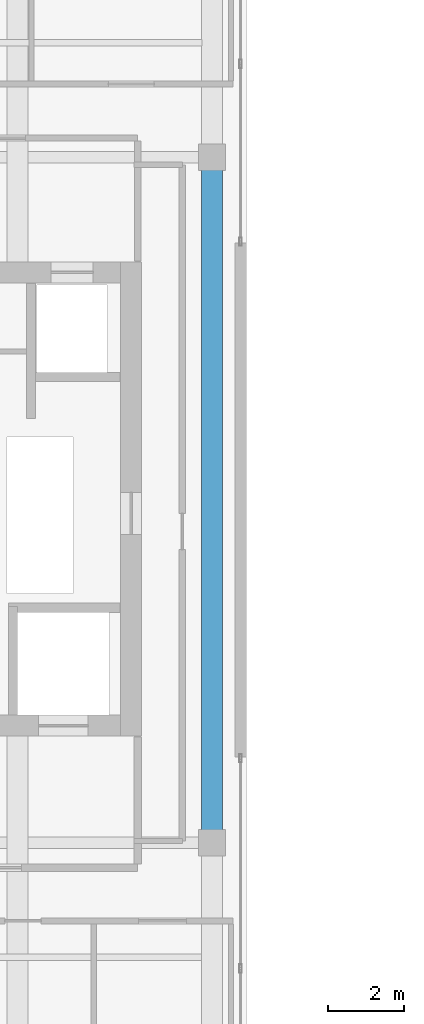
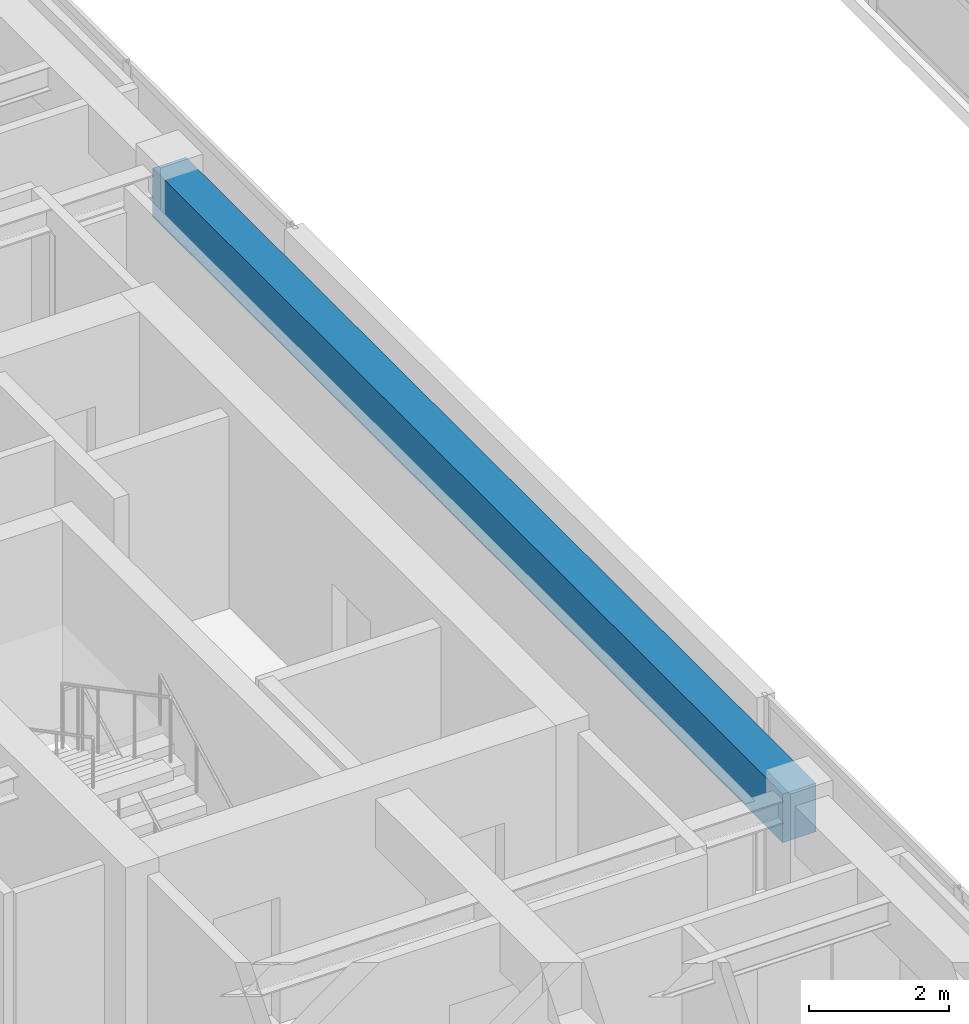
# One storey, part 7 of 24: 1 beam.
"""IFC4 building model written with IfcOpenShell, lengths in metres."""

from ifc_helpers import new_model, si_unit, direction, frame, origin, origin_2d, place, context, subcontext, project, spatial, rectangle, extrude, source, transform, mapped, material, material_profile, profile_set, type_object, element, save


model = new_model("IFC4")

# Units and contexts
model_context = context("Model", 3, precision=1e-05, world=origin(), true_north=direction((0.0, 1.0)))
body_context = subcontext(model_context, "Body", "Model", "MODEL_VIEW")
ifc_project = project(units=[si_unit("LENGTHUNIT", "METRE"), si_unit("AREAUNIT", "SQUARE_METRE"), si_unit("VOLUMEUNIT", "CUBIC_METRE"), si_unit("PLANEANGLEUNIT", "RADIAN"), si_unit("MASSUNIT", "GRAM", prefix="KILO")], contexts=[model_context])

# Site, building, storey
site_placement = place(None, origin())
site = spatial("IfcSite", under=ifc_project, at=site_placement, CompositionType="ELEMENT")
building_placement = place(site_placement, origin())
building = spatial("IfcBuilding", under=site, at=building_placement, Name="Khoralis Quay Care Tower", CompositionType="ELEMENT")
storey_placement = place(building_placement, frame((0.0, 0.0, 249.300048828125)))
storey = spatial("IfcBuildingStorey", under=building, at=storey_placement, Name="L65", CompositionType="ELEMENT", Elevation=249.300048828125)

# Beam
ifc_material = material(Name="Concrete C50/60", Category="concrete")
ifc_material_profile = material_profile(ifc_material, rectangle(XDim=0.550048828125, YDim=0.85009765625, at=origin_2d()), Name="Concrete C50/60")
ifc_profile_set = profile_set([ifc_material_profile], Name="Concrete C50/60")
beam_type = type_object("IfcBeamType", Name="BM-RC550X850", PredefinedType="BEAM", material=ifc_profile_set)
shared_shape = source(origin(), body_context, "Body", "SweptSolid", [
    extrude(rectangle(XDim=0.550048828125, YDim=0.85009765625, at=origin_2d()), origin(), (0.0, 0.0, 1.0), 18.0),
])
beam_placement = place(storey_placement, frame((17.10009765625, 12.0, 2.93505859375), z_axis=(0.0, 1.0, 0.0), x_axis=(-1.0, 0.0, 0.0)))
element("IfcBeam", 1, at=beam_placement, inside=storey, type_object=beam_type, Name="BM-TGSW-L65", PredefinedType="BEAM", context=body_context, shape_type="MappedRepresentation", body=[
    mapped(shared_shape, transform((0.0, 0.0, 0.0), scale=1.0)),
])

save(model, "model.ifc")
